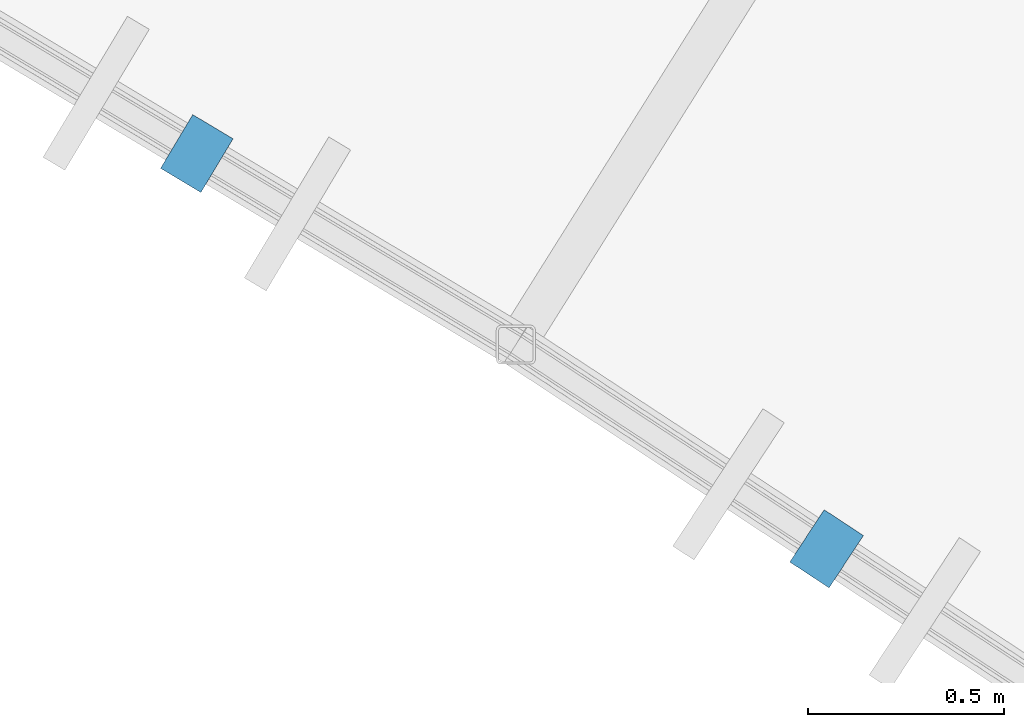
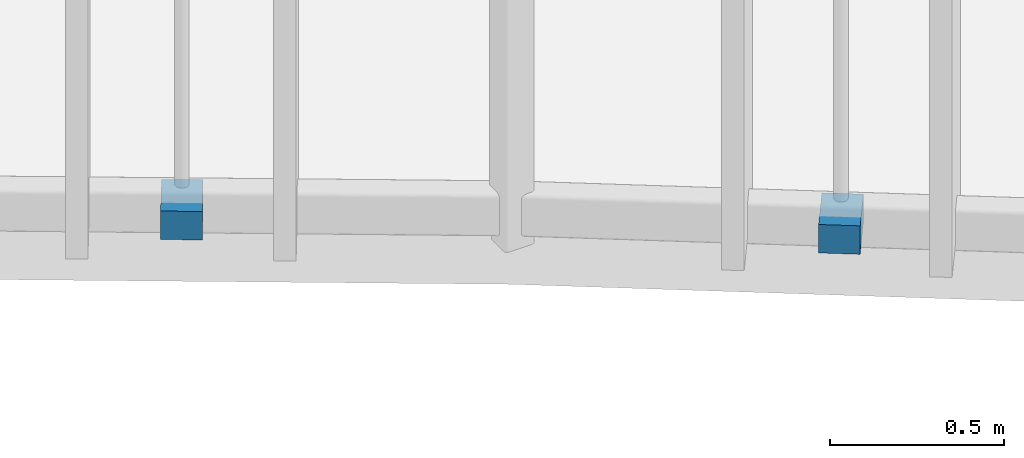
# One storey, part 87 of 100: 2 discrete accessories.
"""IFC4 building model written with IfcOpenShell, lengths in metres."""

from ifc_helpers import new_model, si_unit, direction, frame, origin, origin_2d, place, context, subcontext, project, spatial, rectangle, extrude, material, type_object, element, save


model = new_model("IFC4")

# Units and contexts
model_context = context("Model", 3, precision=1e-05, world=origin(), true_north=direction((0.0, 1.0)))
body_context = subcontext(model_context, "Body", "Model", "MODEL_VIEW")
ifc_project = project(units=[si_unit("LENGTHUNIT", "METRE"), si_unit("AREAUNIT", "SQUARE_METRE"), si_unit("VOLUMEUNIT", "CUBIC_METRE"), si_unit("PLANEANGLEUNIT", "RADIAN"), si_unit("MASSUNIT", "GRAM", prefix="KILO"), si_unit("POWERUNIT", "WATT"), si_unit("THERMODYNAMICTEMPERATUREUNIT", "KELVIN")], contexts=[model_context])

# Site, building, storey
site_placement = place(None, origin())
site = spatial("IfcSite", under=ifc_project, at=site_placement, CompositionType="ELEMENT")
building_placement = place(site_placement, origin())
building = spatial("IfcBuilding", under=site, at=building_placement, Name="Ruvembo Vaulted Housing Court", CompositionType="ELEMENT")
storey_placement = place(building_placement, frame((0.0, 0.0, 10.89990234375)))
storey = spatial("IfcBuildingStorey", under=building, at=storey_placement, Name="L03", CompositionType="ELEMENT", Elevation=10.89990234375)

# Discrete accessories
ifc_material = material(Name="Stainless Steel Grade 316", Category="steel")
discrete_accessory_type = type_object("IfcDiscreteAccessoryType", Name="ACC-BRACKET-SS", PredefinedType="BRACKET", material=ifc_material)
for number, where, z_axis, x_axis, name in (
    (1, (140.528076171875, 89.283203125, 0.030029296875), (0.0, 0.0, 1.0), (-0.513825768915, -0.857894561819, 0.0), "Stainless Louvre Rail Bracket #321"),
    (2, (142.137939453125, 88.27294921875, 0.030029296875), (0.0, 0.0, 1.0), (-0.548964466299, -0.835845688355, 0.0), "Stainless Louvre Rail Bracket #322"),
):
    element("IfcDiscreteAccessory", number, at=place(storey_placement, frame(where, z_axis=z_axis, x_axis=x_axis)), inside=storey, type_object=discrete_accessory_type, Name=name, PredefinedType="BRACKET", context=body_context, shape_type="SweptSolid", body=[
        extrude(rectangle(XDim=0.159912109375, YDim=0.1201171875, at=origin_2d()), origin(), (0.0, 0.0, 1.0), 0.10009765625),
    ])

save(model, "model.ifc")
